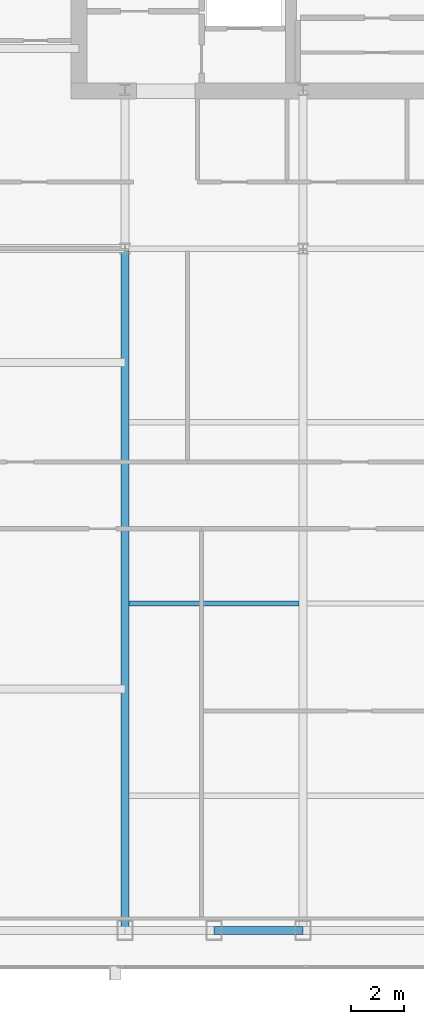
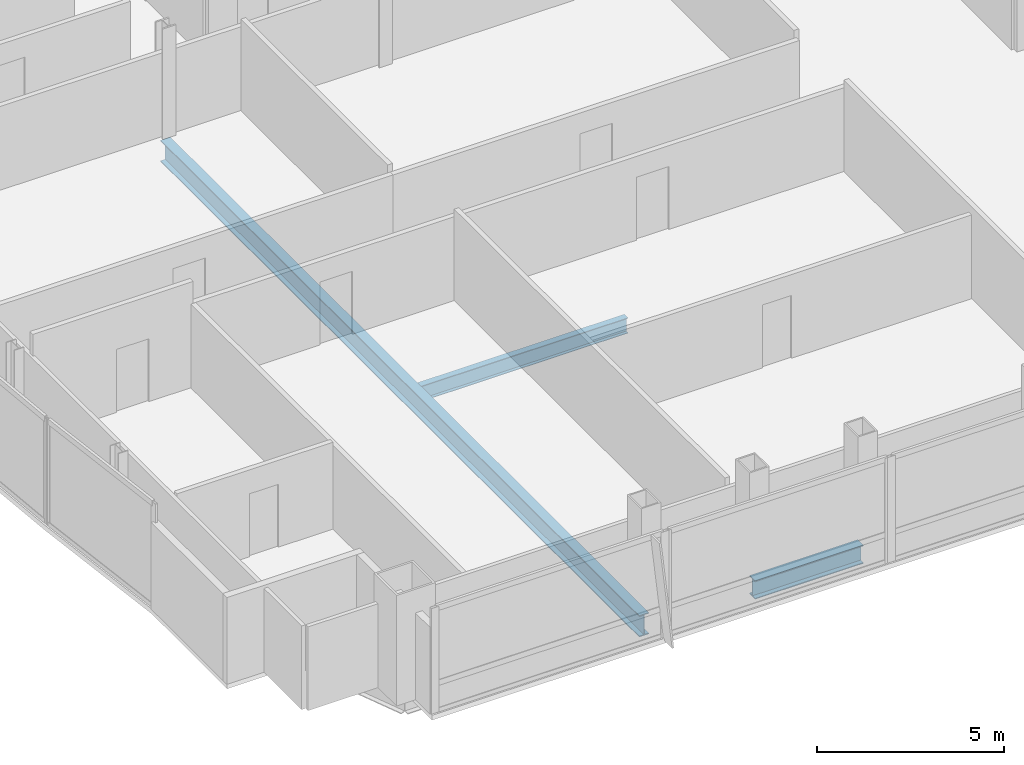
# One storey, part 7 of 32: 3 beams.
"""IFC4 building model written with IfcOpenShell, lengths in metres."""

from ifc_helpers import new_model, si_unit, direction, frame, origin, origin_2d, place, context, subcontext, project, spatial, i_section, extrude, material, material_profile, profile_set, type_object, element, save


model = new_model("IFC4")

# Units and contexts
model_context = context("Model", 3, precision=1e-05, world=origin(), true_north=direction((0.0, 1.0)))
body_context = subcontext(model_context, "Body", "Model", "MODEL_VIEW")
ifc_project = project(units=[si_unit("LENGTHUNIT", "METRE"), si_unit("AREAUNIT", "SQUARE_METRE"), si_unit("VOLUMEUNIT", "CUBIC_METRE"), si_unit("PLANEANGLEUNIT", "RADIAN"), si_unit("MASSUNIT", "GRAM", prefix="KILO")], contexts=[model_context])

# Site, building, storey
site_placement = place(None, origin())
site = spatial("IfcSite", under=ifc_project, at=site_placement, CompositionType="ELEMENT")
building_placement = place(site_placement, origin())
building = spatial("IfcBuilding", under=site, at=building_placement, Name="Khoronbel Lancet Exchange", CompositionType="ELEMENT")
storey_placement = place(building_placement, frame((0.0, 0.0, 192.199951171875)))
storey = spatial("IfcBuildingStorey", under=building, at=storey_placement, Name="L48", CompositionType="ELEMENT", Elevation=192.199951171875)

# Beams
ifc_material = material(Name="Steel S355", Category="steel")
ifc_material_profile_1 = material_profile(ifc_material, i_section(OverallWidth=0.300048828125, OverallDepth=0.699951171875, WebThickness=0.01708984375, FlangeThickness=0.031982421875, at=origin_2d()), Name="HEB 700")
ifc_profile_set_1 = profile_set([ifc_material_profile_1], Name="Steel S355")
beam_type_1 = type_object("IfcBeamType", Name="BM-BG3", PredefinedType="BEAM", material=ifc_profile_set_1)
beam_1_placement = place(storey_placement, frame((18.22509765625, 10.14990234375, -0.510009765625), z_axis=(0.0, 1.0, 0.0), x_axis=(-1.0, 0.0, 0.0)))
element("IfcBeam", 1, at=beam_1_placement, inside=storey, type_object=beam_type_1, Name="Level L48 south primary girder GS1", PredefinedType="BEAM", context=body_context, shape_type="SweptSolid", body=[
    extrude(i_section(OverallWidth=0.300048828125, OverallDepth=0.699951171875, WebThickness=0.01708984375, FlangeThickness=0.031982421875, at=origin_2d()), origin(), (0.0, 0.0, 1.0), 25.550048828125),
])
ifc_material_profile_2 = material_profile(ifc_material, i_section(OverallWidth=0.199951171875, OverallDepth=0.5, WebThickness=0.01025390625, FlangeThickness=0.01611328125, at=origin_2d()), Name="IPE 500")
ifc_profile_set_2 = profile_set([ifc_material_profile_2], Name="Steel S355")
beam_type_2 = type_object("IfcBeamType", Name="BM-BJ3", PredefinedType="JOIST", material=ifc_profile_set_2)
beam_2_placement = place(storey_placement, frame((18.375, 22.39990234375, -0.409912109375), z_axis=(1.0, 0.0, 0.0), x_axis=(0.0, 1.0, 0.0)))
element("IfcBeam", 2, at=beam_2_placement, inside=storey, type_object=beam_type_2, Name="Level L48 secondary composite joist J06", PredefinedType="JOIST", context=body_context, shape_type="SweptSolid", body=[
    extrude(i_section(OverallWidth=0.199951171875, OverallDepth=0.5, WebThickness=0.01025390625, FlangeThickness=0.01611328125, at=origin_2d()), origin(), (0.0, 0.0, 1.0), 6.375),
])
ifc_material_profile_3 = material_profile(ifc_material, i_section(OverallWidth=0.300048828125, OverallDepth=0.60009765625, WebThickness=0.015380859375, FlangeThickness=0.030029296875, at=origin_2d()), Name="HEB 600")
ifc_profile_set_3 = profile_set([ifc_material_profile_3], Name="Steel S355")
beam_type_3 = type_object("IfcBeamType", Name="BM-BSP2", PredefinedType="SPANDREL", material=ifc_profile_set_3)
beam_3_placement = place(storey_placement, frame((21.5625, 10.14990234375, -0.4599609375), z_axis=(1.0, 0.0, 0.0), x_axis=(0.0, 1.0, 0.0)))
element("IfcBeam", 3, at=beam_3_placement, inside=storey, type_object=beam_type_3, Name="Level L48 perimeter spandrel beam SP03", PredefinedType="SPANDREL", context=body_context, shape_type="SweptSolid", body=[
    extrude(i_section(OverallWidth=0.300048828125, OverallDepth=0.60009765625, WebThickness=0.015380859375, FlangeThickness=0.030029296875, at=origin_2d()), origin(), (0.0, 0.0, 1.0), 3.33740234375),
])

save(model, "model.ifc")
